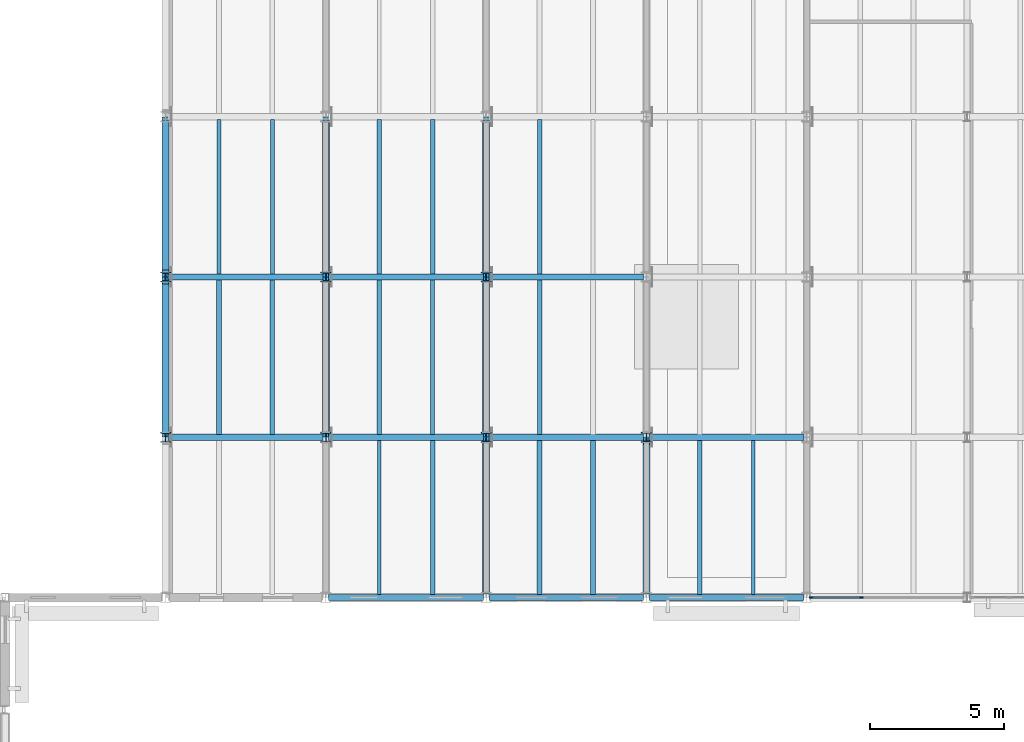
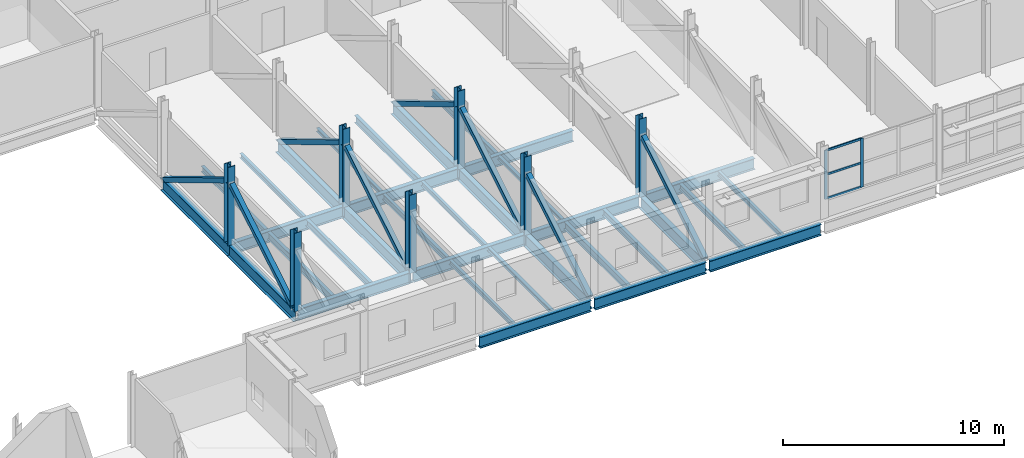
# One storey, part 20 of 92: 34 beams, 20 members, 1 element without a shape of its own.
"""IFC4 building model written with IfcOpenShell, lengths in metres."""

from ifc_helpers import new_model, si_unit, direction, frame, origin, origin_2d, place, context, subcontext, project, spatial, rectangle, hollow_rectangle, i_section, extrude, material, material_profile, profile_set, type_object, element, aggregate, save


model = new_model("IFC4")

# Units and contexts
model_context = context("Model", 3, precision=1e-05, world=origin(), true_north=direction((0.0, 1.0)))
body_context = subcontext(model_context, "Body", "Model", "MODEL_VIEW")
ifc_project = project(units=[si_unit("LENGTHUNIT", "METRE"), si_unit("AREAUNIT", "SQUARE_METRE"), si_unit("VOLUMEUNIT", "CUBIC_METRE"), si_unit("PLANEANGLEUNIT", "RADIAN"), si_unit("MASSUNIT", "GRAM", prefix="KILO")], contexts=[model_context])

# Site, building, storey
site_placement = place(None, origin())
site = spatial("IfcSite", under=ifc_project, at=site_placement, CompositionType="ELEMENT")
building_placement = place(site_placement, origin())
building = spatial("IfcBuilding", under=site, at=building_placement, Name="Siltcreek Boulevard Central Fire Station", CompositionType="ELEMENT")
storey_placement = place(building_placement, frame((0.0, 0.0, 6.0)))
storey = spatial("IfcBuildingStorey", under=building, at=storey_placement, Name="L02", CompositionType="ELEMENT", Elevation=6.0)

# Beams
ifc_material_1 = material(Name="Structural steel ASTM A992 Gr50", Category="steel")
ifc_material_profile_1 = material_profile(ifc_material_1, i_section(OverallWidth=0.22998046875, OverallDepth=0.616943359375, WebThickness=0.01318359375, FlangeThickness=0.022216796875, at=origin_2d()), Name="W610X140")
ifc_profile_set_1 = profile_set([ifc_material_profile_1], Name="Structural steel ASTM A992 Gr50")
beam_type_1 = type_object("IfcBeamType", Name="BM_W610X140", PredefinedType="BEAM", material=ifc_profile_set_1)
for number, where, z_axis, x_axis, name in (
    (1, (72.10009765625, 18.0, -0.62841796875), (1.0, 0.0, 0.0), (0.0, 1.0, 0.0), "L02 primary steel girder GX-0045"),
    (2, (78.10009765625, 18.0, -0.62841796875), (1.0, 0.0, 0.0), (0.0, 1.0, 0.0), "L02 primary steel girder GX-0046"),
    (3, (84.10009765625, 18.0, -0.62841796875), (1.0, 0.0, 0.0), (0.0, 1.0, 0.0), "L02 primary steel girder GX-0047"),
    (4, (66.10009765625, 24.0, -0.62841796875), (1.0, 0.0, 0.0), (0.0, 1.0, 0.0), "L02 primary steel girder GX-0051"),
    (5, (72.10009765625, 24.0, -0.62841796875), (1.0, 0.0, 0.0), (0.0, 1.0, 0.0), "L02 primary steel girder GX-0052"),
    (6, (78.10009765625, 24.0, -0.62841796875), (1.0, 0.0, 0.0), (0.0, 1.0, 0.0), "L02 primary steel girder GX-0053"),
    (7, (84.10009765625, 24.0, -0.62841796875), (1.0, 0.0, 0.0), (0.0, 1.0, 0.0), "L02 primary steel girder GX-0054"),
    (8, (66.10009765625, 30.0, -0.62841796875), (1.0, 0.0, 0.0), (0.0, 1.0, 0.0), "L02 primary steel girder GX-0058"),
    (9, (72.10009765625, 30.0, -0.62841796875), (1.0, 0.0, 0.0), (0.0, 1.0, 0.0), "L02 primary steel girder GX-0059"),
    (10, (78.10009765625, 30.0, -0.62841796875), (1.0, 0.0, 0.0), (0.0, 1.0, 0.0), "L02 primary steel girder GX-0060"),
):
    element("IfcBeam", number, at=place(storey_placement, frame(where, z_axis=z_axis, x_axis=x_axis)), inside=storey, type_object=beam_type_1, Name=name, PredefinedType="BEAM", context=body_context, shape_type="SweptSolid", body=[
        extrude(i_section(OverallWidth=0.22998046875, OverallDepth=0.616943359375, WebThickness=0.01318359375, FlangeThickness=0.022216796875, at=origin_2d()), origin(), (0.0, 0.0, 1.0), 5.7998046875),
    ])
ifc_material_profile_2 = material_profile(ifc_material_1, i_section(OverallWidth=0.256103515625, OverallDepth=0.693115234375, WebThickness=0.014404296875, FlangeThickness=0.023681640625, at=origin_2d()), Name="W690X170")
ifc_profile_set_2 = profile_set([ifc_material_profile_2], Name="Structural steel ASTM A992 Gr50")
beam_type_2 = type_object("IfcBeamType", Name="BM_W690X170", PredefinedType="BEAM", material=ifc_profile_set_2)
for number, where, z_axis, x_axis, name in (
    (11, (66.0, 24.001953125, -0.66650390625), (0.0, 1.0, 0.0), (-1.0, 0.0, 0.0), "Pratt transfer truss TT1 bottom chord panel 2"),
    (12, (66.0, 30.001953125, -0.66650390625), (0.0, 1.0, 0.0), (-1.0, 0.0, 0.0), "Pratt transfer truss TT1 bottom chord panel 3"),
    (13, (72.0, 24.001953125, -0.66650390625), (0.0, 1.0, 0.0), (-1.0, 0.0, 0.0), "Pratt transfer truss TT2 bottom chord panel 2"),
    (14, (72.0, 30.001953125, -0.66650390625), (0.0, 1.0, 0.0), (-1.0, 0.0, 0.0), "Pratt transfer truss TT2 bottom chord panel 3"),
):
    element("IfcBeam", number, at=place(storey_placement, frame(where, z_axis=z_axis, x_axis=x_axis)), inside=storey, type_object=beam_type_2, Name=name, PredefinedType="BEAM", context=body_context, shape_type="SweptSolid", body=[
        extrude(i_section(OverallWidth=0.256103515625, OverallDepth=0.693115234375, WebThickness=0.014404296875, FlangeThickness=0.023681640625, at=origin_2d()), origin(), (0.0, 0.0, 1.0), 5.99609375),
    ])
beam_1_placement = place(storey_placement, frame((78.0, 18.18505859375, -0.66650390625), z_axis=(0.0, 1.0, 0.0), x_axis=(-1.0, 0.0, 0.0)))
element("IfcBeam", 15, at=beam_1_placement, inside=storey, type_object=beam_type_2, Name="Pratt transfer truss TT3 bottom chord panel 1", PredefinedType="BEAM", context=body_context, shape_type="SweptSolid", body=[
    extrude(i_section(OverallWidth=0.256103515625, OverallDepth=0.693115234375, WebThickness=0.014404296875, FlangeThickness=0.023681640625, at=origin_2d()), origin(), (0.0, 0.0, 1.0), 5.81298828125),
])
for number, where, z_axis, x_axis, name in (
    (16, (78.0, 24.001953125, -0.66650390625), (0.0, 1.0, 0.0), (-1.0, 0.0, 0.0), "Pratt transfer truss TT3 bottom chord panel 2"),
    (17, (78.0, 30.001953125, -0.66650390625), (0.0, 1.0, 0.0), (-1.0, 0.0, 0.0), "Pratt transfer truss TT3 bottom chord panel 3"),
):
    element("IfcBeam", number, at=place(storey_placement, frame(where, z_axis=z_axis, x_axis=x_axis)), inside=storey, type_object=beam_type_2, Name=name, PredefinedType="BEAM", context=body_context, shape_type="SweptSolid", body=[
        extrude(i_section(OverallWidth=0.256103515625, OverallDepth=0.693115234375, WebThickness=0.014404296875, FlangeThickness=0.023681640625, at=origin_2d()), origin(), (0.0, 0.0, 1.0), 5.99609375),
    ])
beam_2_placement = place(storey_placement, frame((84.0, 18.18505859375, -0.66650390625), z_axis=(0.0, 1.0, 0.0), x_axis=(-1.0, 0.0, 0.0)))
element("IfcBeam", 18, at=beam_2_placement, inside=storey, type_object=beam_type_2, Name="Pratt transfer truss TT4 bottom chord panel 1", PredefinedType="BEAM", context=body_context, shape_type="SweptSolid", body=[
    extrude(i_section(OverallWidth=0.256103515625, OverallDepth=0.693115234375, WebThickness=0.014404296875, FlangeThickness=0.023681640625, at=origin_2d()), origin(), (0.0, 0.0, 1.0), 5.81298828125),
])

# Members
ifc_material_2 = material(Name="Structural steel ASTM A500 GrC", Category="steel")
ifc_material_profile_3 = material_profile(ifc_material_2, hollow_rectangle(XDim=0.25, YDim=0.25, WallThickness=0.012451171875, at=origin_2d()), Name="HSS250X250X12.5")
ifc_profile_set_3 = profile_set([ifc_material_profile_3], Name="Structural steel ASTM A500 GrC")
member_type_1 = type_object("IfcMemberType", Name="BR_HSS250_12", PredefinedType="BRACE", material=ifc_profile_set_3)
for number, where, z_axis, x_axis, name in (
    (19, (66.0, 24.199951171875, -0.324462890625), (0.0, 0.857769965344, 0.514033740676), (-1.0, 0.0, 0.0), "Pratt transfer truss TT1 diagonal web 2"),
    (20, (66.0, 35.800048828125, -0.324462890625), (0.0, -0.857769965344, 0.514033740676), (1.0, 0.0, 0.0), "Pratt transfer truss TT1 diagonal web 3"),
    (21, (72.0, 24.199951171875, -0.324462890625), (0.0, 0.857769965344, 0.514033740676), (-1.0, 0.0, 0.0), "Pratt transfer truss TT2 diagonal web 2"),
    (22, (72.0, 35.800048828125, -0.324462890625), (0.0, -0.857769965344, 0.514033740676), (1.0, 0.0, 0.0), "Pratt transfer truss TT2 diagonal web 3"),
    (23, (78.0, 18.199951171875, -0.324462890625), (0.0, 0.857769965344, 0.514033740676), (-1.0, 0.0, 0.0), "Pratt transfer truss TT3 diagonal web 1"),
    (24, (78.0, 24.199951171875, -0.324462890625), (0.0, 0.857769965344, 0.514033740676), (-1.0, 0.0, 0.0), "Pratt transfer truss TT3 diagonal web 2"),
    (25, (78.0, 35.800048828125, -0.324462890625), (0.0, -0.857769965344, 0.514033740676), (1.0, 0.0, 0.0), "Pratt transfer truss TT3 diagonal web 3"),
    (26, (84.0, 18.199951171875, -0.324462890625), (0.0, 0.857769965344, 0.514033740676), (-1.0, 0.0, 0.0), "Pratt transfer truss TT4 diagonal web 1"),
):
    element("IfcMember", number, at=place(storey_placement, frame(where, z_axis=z_axis, x_axis=x_axis)), inside=storey, type_object=member_type_1, Name=name, PredefinedType="BRACE", context=body_context, shape_type="SweptSolid", body=[
        extrude(hollow_rectangle(XDim=0.25, YDim=0.25, WallThickness=0.012451171875, at=origin_2d()), origin(), (0.0, 0.0, 1.0), 6.528564453125),
    ])
ifc_material_profile_4 = material_profile(ifc_material_1, i_section(OverallWidth=0.3740234375, OverallDepth=0.3720703125, WebThickness=0.016357421875, FlangeThickness=0.026123046875, at=origin_2d()), Name="W360X196")
ifc_profile_set_4 = profile_set([ifc_material_profile_4], Name="Structural steel ASTM A992 Gr50")
member_type_2 = type_object("IfcMemberType", Name="CH_W360X196", PredefinedType="CHORD", material=ifc_profile_set_4)
for number, where, z_axis, x_axis, name in (
    (27, (66.0, 24.0, -0.324462890625), (0.0, 0.0, 1.0), (1.0, 0.0, 0.0), "Pratt transfer truss TT1 vertical post 1"),
    (28, (66.0, 30.0, -0.324462890625), (0.0, 0.0, 1.0), (1.0, 0.0, 0.0), "Pratt transfer truss TT1 vertical post 2"),
    (29, (72.0, 24.0, -0.324462890625), (0.0, 0.0, 1.0), (1.0, 0.0, 0.0), "Pratt transfer truss TT2 vertical post 1"),
    (30, (72.0, 30.0, -0.324462890625), (0.0, 0.0, 1.0), (1.0, 0.0, 0.0), "Pratt transfer truss TT2 vertical post 2"),
    (31, (78.0, 24.0, -0.324462890625), (0.0, 0.0, 1.0), (1.0, 0.0, 0.0), "Pratt transfer truss TT3 vertical post 1"),
    (32, (78.0, 30.0, -0.324462890625), (0.0, 0.0, 1.0), (1.0, 0.0, 0.0), "Pratt transfer truss TT3 vertical post 2"),
    (33, (84.0, 24.0, -0.324462890625), (0.0, 0.0, 1.0), (1.0, 0.0, 0.0), "Pratt transfer truss TT4 vertical post 1"),
):
    element("IfcMember", number, at=place(storey_placement, frame(where, z_axis=z_axis, x_axis=x_axis)), inside=storey, type_object=member_type_2, Name=name, PredefinedType="CHORD", context=body_context, shape_type="SweptSolid", body=[
        extrude(i_section(OverallWidth=0.3740234375, OverallDepth=0.3720703125, WebThickness=0.016357421875, FlangeThickness=0.026123046875, at=origin_2d()), origin(), (0.0, 0.0, 1.0), 4.324462890625),
    ])

# Curtain wall, members
ifc_material_3 = material(Name="Anodized aluminum and low-E insulated glazing", Category="aluminium")
curtain_wall_type = type_object("IfcCurtainWallType", Name="CW_SYS_24", PredefinedType="USERDEFINED", material=ifc_material_3)
curtain_wall_placement = place(storey_placement, origin())
curtain_wall = element("IfcCurtainWall", 34, at=curtain_wall_placement, inside=storey, type_object=curtain_wall_type, Name="L02 V2 unitised curtain wall CW-023", ObjectType="CURTAIN WALL", PredefinedType="USERDEFINED")
ifc_material_4 = material(Name="Anodized 6063-T6 aluminum framing", Category="aluminium")
ifc_material_profile_5 = material_profile(ifc_material_4, rectangle(XDim=0.06005859375, YDim=0.14990234375, at=origin_2d()), Name="MULL60X150")
ifc_profile_set_5 = profile_set([ifc_material_profile_5], Name="Anodized 6063-T6 aluminum framing")
member_type_3 = type_object("IfcMemberType", Name="CWM_60X150", PredefinedType="MULLION", material=ifc_profile_set_5)
member_1_placement = place(storey_placement, frame((90.175048828125, 18.0, 0.919921875), z_axis=(0.0, 0.0, 1.0), x_axis=(0.0, 1.0, 0.0)))
member_1 = element("IfcMember", 35, at=member_1_placement, type_object=member_type_3, Name="CW-023 mullion 1", PredefinedType="MULLION", context=body_context, shape_type="SweptSolid", body=[
    extrude(rectangle(XDim=0.06005859375, YDim=0.14990234375, at=origin_2d()), origin(), (0.0, 0.0, 1.0), 2.698974609375),
])
member_2_placement = place(storey_placement, frame((92.04833984375, 18.0, 0.919921875), z_axis=(0.0, 0.0, 1.0), x_axis=(0.0, 1.0, 0.0)))
member_2 = element("IfcMember", 36, at=member_2_placement, type_object=member_type_3, Name="CW-023 mullion 2", PredefinedType="MULLION", context=body_context, shape_type="SweptSolid", body=[
    extrude(rectangle(XDim=0.06005859375, YDim=0.14990234375, at=origin_2d()), origin(), (0.0, 0.0, 1.0), 2.698974609375),
])
ifc_material_profile_6 = material_profile(ifc_material_4, rectangle(XDim=0.06005859375, YDim=0.114990234375, at=origin_2d()), Name="TRAN60X115")
ifc_profile_set_6 = profile_set([ifc_material_profile_6], Name="Anodized 6063-T6 aluminum framing")
member_type_4 = type_object("IfcMemberType", Name="CWT_60X115", PredefinedType="USERDEFINED", material=ifc_profile_set_6)
member_3_placement = place(storey_placement, frame((90.205078125, 18.0, 0.949951171875), z_axis=(1.0, 0.0, 0.0), x_axis=(0.0, 1.0, 0.0)))
member_3 = element("IfcMember", 37, at=member_3_placement, type_object=member_type_4, Name="CW-023 transom 1.1", ObjectType="TRANSOM", PredefinedType="USERDEFINED", context=body_context, shape_type="SweptSolid", body=[
    extrude(rectangle(XDim=0.06005859375, YDim=0.114990234375, at=origin_2d()), origin(), (0.0, 0.0, 1.0), 1.813232421875),
])
member_4_placement = place(storey_placement, frame((90.205078125, 18.0, 2.26953125), z_axis=(1.0, 0.0, 0.0), x_axis=(0.0, 1.0, 0.0)))
member_4 = element("IfcMember", 38, at=member_4_placement, type_object=member_type_4, Name="CW-023 transom 1.2", ObjectType="TRANSOM", PredefinedType="USERDEFINED", context=body_context, shape_type="SweptSolid", body=[
    extrude(rectangle(XDim=0.06005859375, YDim=0.114990234375, at=origin_2d()), origin(), (0.0, 0.0, 1.0), 1.813232421875),
])
member_5_placement = place(storey_placement, frame((90.205078125, 18.0, 3.589111328125), z_axis=(1.0, 0.0, 0.0), x_axis=(0.0, 1.0, 0.0)))
member_5 = element("IfcMember", 39, at=member_5_placement, type_object=member_type_4, Name="CW-023 transom 1.3", ObjectType="TRANSOM", PredefinedType="USERDEFINED", context=body_context, shape_type="SweptSolid", body=[
    extrude(rectangle(XDim=0.06005859375, YDim=0.114990234375, at=origin_2d()), origin(), (0.0, 0.0, 1.0), 1.813232421875),
])
aggregate(curtain_wall, [member_1, member_2, member_3, member_4, member_5])

# Beams
ifc_material_profile_7 = material_profile(ifc_material_1, i_section(OverallWidth=0.1650390625, OverallDepth=0.200927734375, WebThickness=0.006103515625, FlangeThickness=0.01025390625, at=origin_2d()), Name="W200X36")
ifc_profile_set_7 = profile_set([ifc_material_profile_7], Name="Structural steel ASTM A992 Gr50")
beam_type_3 = type_object("IfcBeamType", Name="JST_W200X36", PredefinedType="JOIST", material=ifc_profile_set_7)
for number, where, z_axis, x_axis, name in (
    (40, (76.0, 18.113037109375, -0.42041015625), (0.0, 1.0, 0.0), (-1.0, 0.0, 0.0), "L02 secondary steel floor joist 0032"),
    (41, (80.0, 24.113037109375, -0.42041015625), (0.0, 1.0, 0.0), (-1.0, 0.0, 0.0), "L02 secondary steel floor joist 0047"),
    (42, (74.0, 30.113037109375, -0.42041015625), (0.0, 1.0, 0.0), (-1.0, 0.0, 0.0), "L02 secondary steel floor joist 0057"),
):
    element("IfcBeam", number, at=place(storey_placement, frame(where, z_axis=z_axis, x_axis=x_axis)), inside=storey, type_object=beam_type_3, Name=name, PredefinedType="JOIST", context=body_context, shape_type="SweptSolid", body=[
        extrude(i_section(OverallWidth=0.1650390625, OverallDepth=0.200927734375, WebThickness=0.006103515625, FlangeThickness=0.01025390625, at=origin_2d()), origin(), (0.0, 0.0, 1.0), 5.77392578125),
    ])
ifc_material_profile_8 = material_profile(ifc_material_1, i_section(OverallWidth=0.14697265625, OverallDepth=0.261962890625, WebThickness=0.006591796875, FlangeThickness=0.01123046875, at=origin_2d()), Name="W250X39")
ifc_profile_set_8 = profile_set([ifc_material_profile_8], Name="Structural steel ASTM A992 Gr50")
beam_type_4 = type_object("IfcBeamType", Name="JST_W250X39", PredefinedType="JOIST", material=ifc_profile_set_8)
for number, where, z_axis, x_axis, name in (
    (43, (74.0, 18.113037109375, -0.450927734375), (0.0, 1.0, 0.0), (-1.0, 0.0, 0.0), "L02 secondary steel floor joist 0031"),
    (44, (88.0, 18.113037109375, -0.450927734375), (0.0, 1.0, 0.0), (-1.0, 0.0, 0.0), "L02 secondary steel floor joist 0036"),
    (45, (76.0, 24.113037109375, -0.450927734375), (0.0, 1.0, 0.0), (-1.0, 0.0, 0.0), "L02 secondary steel floor joist 0046"),
    (46, (70.0, 30.113037109375, -0.450927734375), (0.0, 1.0, 0.0), (-1.0, 0.0, 0.0), "L02 secondary steel floor joist 0056"),
):
    element("IfcBeam", number, at=place(storey_placement, frame(where, z_axis=z_axis, x_axis=x_axis)), inside=storey, type_object=beam_type_4, Name=name, PredefinedType="JOIST", context=body_context, shape_type="SweptSolid", body=[
        extrude(i_section(OverallWidth=0.14697265625, OverallDepth=0.261962890625, WebThickness=0.006591796875, FlangeThickness=0.01123046875, at=origin_2d()), origin(), (0.0, 0.0, 1.0), 5.77392578125),
    ])
ifc_material_profile_9 = material_profile(ifc_material_1, i_section(OverallWidth=0.166015625, OverallDepth=0.31298828125, WebThickness=0.006591796875, FlangeThickness=0.01123046875, at=origin_2d()), Name="W310X45")
ifc_profile_set_9 = profile_set([ifc_material_profile_9], Name="Structural steel ASTM A992 Gr50")
beam_type_5 = type_object("IfcBeamType", Name="JST_W310X45", PredefinedType="JOIST", material=ifc_profile_set_9)
for number, where, z_axis, x_axis, name in (
    (47, (86.0, 18.113037109375, -0.4765625), (0.0, 1.0, 0.0), (-1.0, 0.0, 0.0), "L02 secondary steel floor joist 0035"),
    (48, (74.0, 24.113037109375, -0.4765625), (0.0, 1.0, 0.0), (-1.0, 0.0, 0.0), "L02 secondary steel floor joist 0045"),
    (49, (68.0, 30.113037109375, -0.4765625), (0.0, 1.0, 0.0), (-1.0, 0.0, 0.0), "L02 secondary steel floor joist 0055"),
):
    element("IfcBeam", number, at=place(storey_placement, frame(where, z_axis=z_axis, x_axis=x_axis)), inside=storey, type_object=beam_type_5, Name=name, PredefinedType="JOIST", context=body_context, shape_type="SweptSolid", body=[
        extrude(i_section(OverallWidth=0.166015625, OverallDepth=0.31298828125, WebThickness=0.006591796875, FlangeThickness=0.01123046875, at=origin_2d()), origin(), (0.0, 0.0, 1.0), 5.77392578125),
    ])
ifc_material_profile_10 = material_profile(ifc_material_1, i_section(OverallWidth=0.172119140625, OverallDepth=0.35791015625, WebThickness=0.0078125, FlangeThickness=0.01318359375, at=origin_2d()), Name="W360X57")
ifc_profile_set_10 = profile_set([ifc_material_profile_10], Name="Structural steel ASTM A992 Gr50")
beam_type_6 = type_object("IfcBeamType", Name="JST_W360X57", PredefinedType="JOIST", material=ifc_profile_set_10)
for number, where, z_axis, x_axis, name in (
    (50, (82.0, 18.113037109375, -0.4990234375), (0.0, 1.0, 0.0), (-1.0, 0.0, 0.0), "L02 secondary steel floor joist 0034"),
    (51, (70.0, 24.113037109375, -0.4990234375), (0.0, 1.0, 0.0), (-1.0, 0.0, 0.0), "L02 secondary steel floor joist 0044"),
    (52, (80.0, 30.113037109375, -0.4990234375), (0.0, 1.0, 0.0), (-1.0, 0.0, 0.0), "L02 secondary steel floor joist 0059"),
):
    element("IfcBeam", number, at=place(storey_placement, frame(where, z_axis=z_axis, x_axis=x_axis)), inside=storey, type_object=beam_type_6, Name=name, PredefinedType="JOIST", context=body_context, shape_type="SweptSolid", body=[
        extrude(i_section(OverallWidth=0.172119140625, OverallDepth=0.35791015625, WebThickness=0.0078125, FlangeThickness=0.01318359375, at=origin_2d()), origin(), (0.0, 0.0, 1.0), 5.77392578125),
    ])
ifc_material_profile_11 = material_profile(ifc_material_1, i_section(OverallWidth=0.177001953125, OverallDepth=0.403076171875, WebThickness=0.007568359375, FlangeThickness=0.010986328125, at=origin_2d()), Name="W410X53")
ifc_profile_set_11 = profile_set([ifc_material_profile_11], Name="Structural steel ASTM A992 Gr50")
beam_type_7 = type_object("IfcBeamType", Name="JST_W410X53", PredefinedType="JOIST", material=ifc_profile_set_11)
for number, where, z_axis, x_axis, name in (
    (53, (80.0, 18.113037109375, -0.521484375), (0.0, 1.0, 0.0), (-1.0, 0.0, 0.0), "L02 secondary steel floor joist 0033"),
    (54, (68.0, 24.113037109375, -0.521484375), (0.0, 1.0, 0.0), (-1.0, 0.0, 0.0), "L02 secondary steel floor joist 0043"),
    (55, (76.0, 30.113037109375, -0.521484375), (0.0, 1.0, 0.0), (-1.0, 0.0, 0.0), "L02 secondary steel floor joist 0058"),
):
    element("IfcBeam", number, at=place(storey_placement, frame(where, z_axis=z_axis, x_axis=x_axis)), inside=storey, type_object=beam_type_7, Name=name, PredefinedType="JOIST", context=body_context, shape_type="SweptSolid", body=[
        extrude(i_section(OverallWidth=0.177001953125, OverallDepth=0.403076171875, WebThickness=0.007568359375, FlangeThickness=0.010986328125, at=origin_2d()), origin(), (0.0, 0.0, 1.0), 5.77392578125),
    ])

save(model, "model.ifc")
